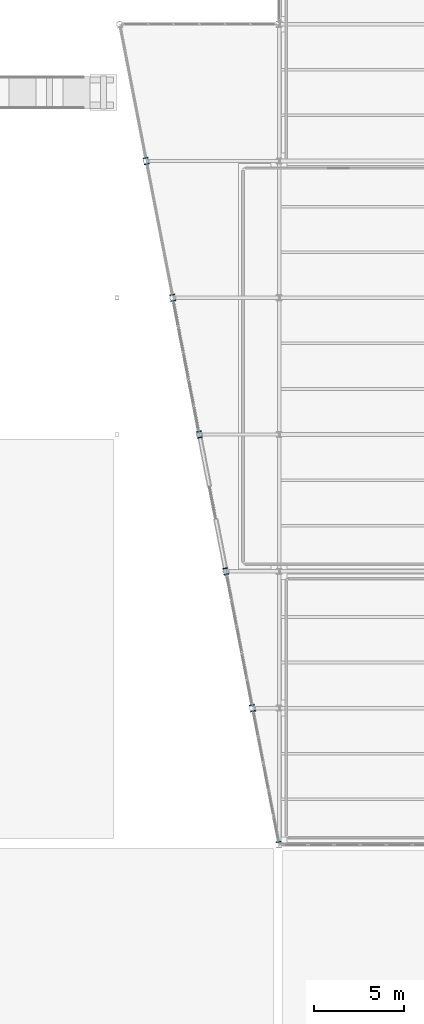
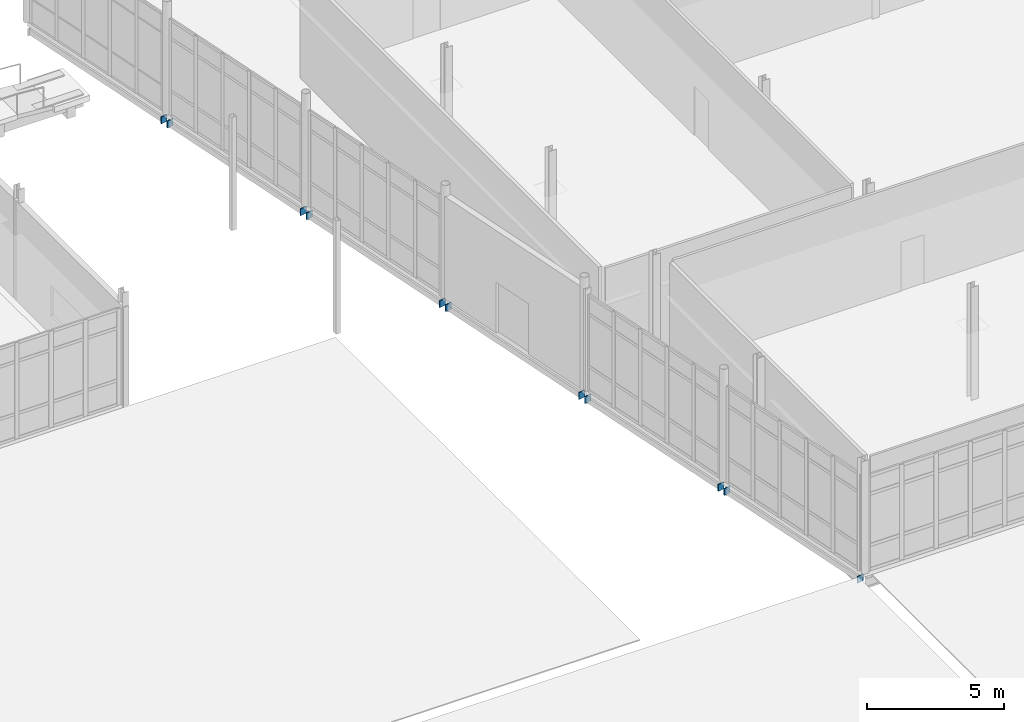
# One storey, part 135 of 161: 11 plates.
"""IFC4 building model written with IfcOpenShell, lengths in metres."""

from ifc_helpers import new_model, si_unit, direction, frame, origin, origin_2d, place, context, subcontext, project, spatial, rectangle, extrude, material, layer, layer_set, type_object, element, save


model = new_model("IFC4")

# Units and contexts
model_context = context("Model", 3, precision=1e-05, world=origin(), true_north=direction((0.0, 1.0)))
body_context = subcontext(model_context, "Body", "Model", "MODEL_VIEW")
ifc_project = project(units=[si_unit("LENGTHUNIT", "METRE"), si_unit("AREAUNIT", "SQUARE_METRE"), si_unit("VOLUMEUNIT", "CUBIC_METRE"), si_unit("PLANEANGLEUNIT", "RADIAN"), si_unit("MASSUNIT", "GRAM", prefix="KILO")], contexts=[model_context])

# Site, building, storey
site_placement = place(None, origin())
site = spatial("IfcSite", under=ifc_project, at=site_placement, CompositionType="ELEMENT")
building_placement = place(site_placement, origin())
building = spatial("IfcBuilding", under=site, at=building_placement, Name="Caisbarro Railhouse Central Library", CompositionType="ELEMENT")
storey_placement = place(building_placement, origin())
storey = spatial("IfcBuildingStorey", under=building, at=storey_placement, Name="L00", CompositionType="ELEMENT", Elevation=0.0)

# Plates
ifc_material = material(Name="Steel ASTM A572 Grade 50", Category="steel")
ifc_layer = layer(ifc_material, 0.044921875, Name="Steel ASTM A572 Grade 50")
ifc_layer_set = layer_set([ifc_layer], Name="Steel ASTM A572 Grade 50")
plate_type = type_object("IfcPlateType", Name="PLT-EP01", PredefinedType="SHEET", material=ifc_layer_set)
for number, where, z_axis, x_axis, name in (
    (1, (116.968017578125, 60.96484375, -0.52490234375), (0.0, 0.0, 1.0), (-0.190808995377, 0.981627183448, 0.0), "EP01 end cap plate"),
    (2, (115.554931640625, 68.235107421875, -0.52490234375), (0.0, 0.0, 1.0), (-0.190808995377, 0.981627183448, 0.0), "EP01 end cap plate"),
    (3, (115.490966796875, 68.56494140625, -0.52490234375), (0.0, 0.0, 1.0), (-0.190808995377, 0.981627183448, 0.0), "EP01 end cap plate"),
    (4, (114.0771484375, 75.8349609375, -0.52490234375), (0.0, 0.0, 1.0), (-0.190808995377, 0.981627183448, 0.0), "EP01 end cap plate"),
    (5, (114.012939453125, 76.1650390625, -0.52490234375), (0.0, 0.0, 1.0), (-0.190808995377, 0.981627183448, 0.0), "EP01 end cap plate"),
    (6, (112.60009765625, 83.43505859375, -0.52490234375), (0.0, 0.0, 1.0), (-0.190808995377, 0.981627183448, 0.0), "EP01 end cap plate"),
    (7, (112.535888671875, 83.764892578125, -0.52490234375), (0.0, 0.0, 1.0), (-0.190808995377, 0.981627183448, 0.0), "EP01 end cap plate"),
    (8, (111.123046875, 91.03515625, -0.52490234375), (0.0, 0.0, 1.0), (-0.190808995377, 0.981627183448, 0.0), "EP01 end cap plate"),
    (9, (111.05908203125, 91.364990234375, -0.52490234375), (0.0, 0.0, 1.0), (-0.190808995377, 0.981627183448, 0.0), "EP01 end cap plate"),
    (10, (109.64599609375, 98.635009765625, -0.52490234375), (0.0, 0.0, 1.0), (-0.190808995377, 0.981627183448, 0.0), "EP01 end cap plate"),
    (11, (109.581787109375, 98.96484375, -0.52490234375), (0.0, 0.0, 1.0), (-0.190808995377, 0.981627183448, 0.0), "EP01 end cap plate"),
):
    element("IfcPlate", number, at=place(storey_placement, frame(where, z_axis=z_axis, x_axis=x_axis)), inside=storey, type_object=plate_type, Name=name, PredefinedType="SHEET", context=body_context, shape_type="SweptSolid", body=[
        extrude(rectangle(XDim=0.044921875, YDim=0.280029296875, at=origin_2d()), origin(), (0.0, 0.0, 1.0), 0.300048828125),
    ])

save(model, "model.ifc")
